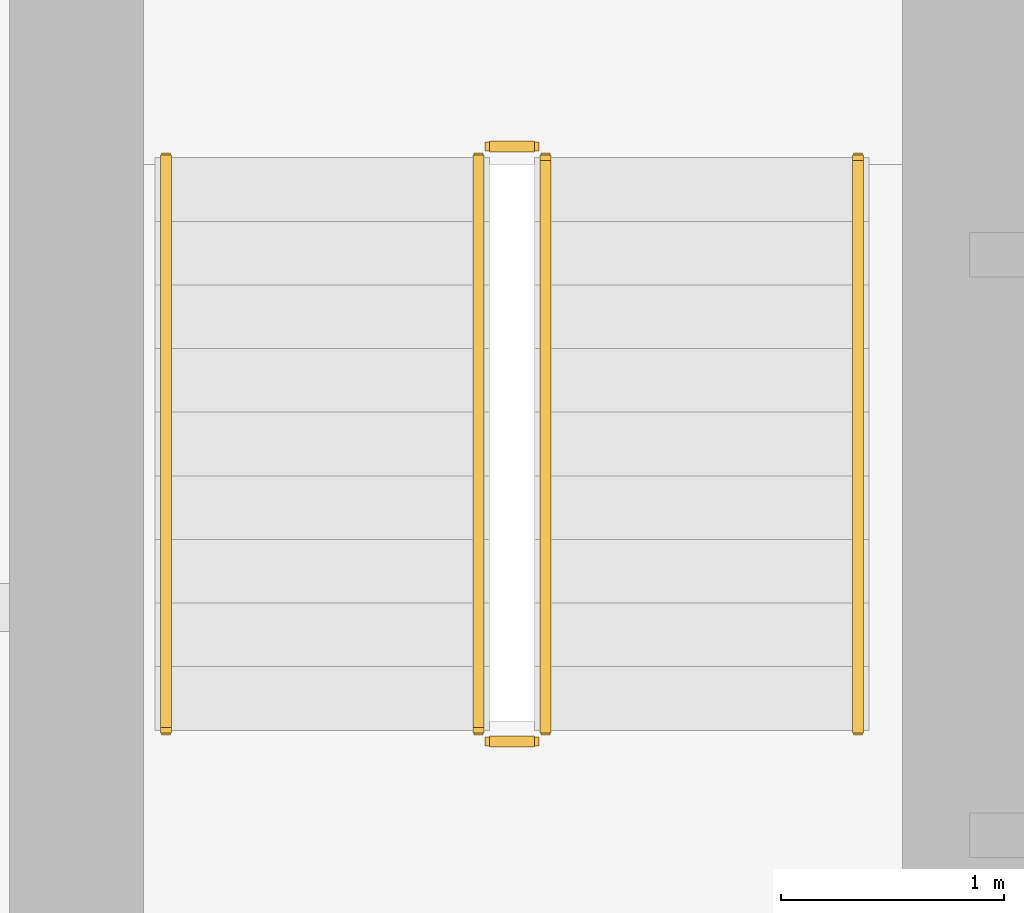
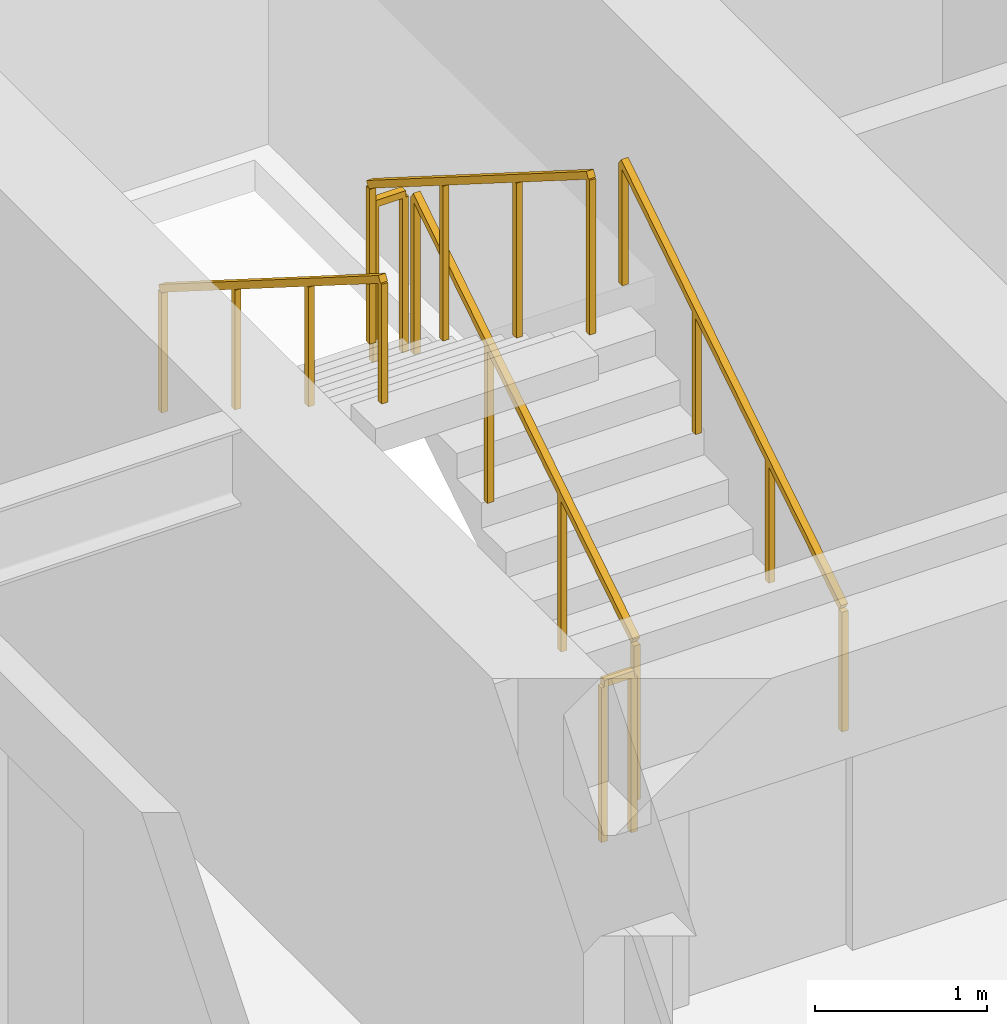
# One storey, part 26 of 28: 6 railings.
"""IFC4 building model written with IfcOpenShell, lengths in metres."""

import ifcopenshell
import ifcopenshell.guid

model = None  # the IFC model being written
_history = None  # IfcOwnerHistory: only IFC2X3 demands one
_inside = {}  # id of a spatial element -> (the spatial element, [elements in it])
_under = {}  # id of a project, library or spatial element -> (it, [spatial elements below it])
_declared = {}  # id of a project -> (the project, [libraries it declares])
_typed = {}  # id of a type object -> (the type object, [elements of that type])
_made_of = {}  # id of a material, layer set ... -> (it, [elements and type objects made of it])


def new_model(schema):
    """Start an empty IFC model of exactly this schema.

    Asked for "IFC4X3", IfcOpenShell would pick the latest addendum, in which some entities
    have other attributes; the version numbers below select the first issue.
    IFC2X3 requires an IfcOwnerHistory on every rooted entity: one is made here for all.
    """
    global model, _history
    if schema == "IFC4X3":
        model = ifcopenshell.file(schema_version=(4, 3, 0, 0))
    else:
        model = ifcopenshell.file(schema=schema)
    _inside.clear()
    _under.clear()
    _declared.clear()
    _typed.clear()
    _made_of.clear()
    _history = None
    if model.schema == "IFC2X3":
        org = make("IfcOrganization", Name="unknown")
        user = make(
            "IfcPersonAndOrganization",
            ThePerson=make("IfcPerson", FamilyName="unknown"),
            TheOrganization=org,
        )
        app = make(
            "IfcApplication",
            ApplicationDeveloper=org,
            Version="unknown",
            ApplicationFullName="unknown",
            ApplicationIdentifier="unknown",
        )
        _history = make(
            "IfcOwnerHistory",
            OwningUser=user,
            OwningApplication=app,
            ChangeAction="ADDED",
            CreationDate=0,
        )
    return model


def make(cls, **values):
    """One entity of the class cls with the attributes given. An attribute that is None is left unset."""
    return model.create_entity(
        cls, **{name: value for name, value in values.items() if value is not None}
    )


def rooted(cls, **values):
    """An entity with a GlobalId (a new one), such as an element, a storey or a relation."""
    return make(cls, GlobalId=ifcopenshell.guid.new(), OwnerHistory=_history, **values)


def si_unit(unit_type, name, prefix=None):
    """IfcSIUnit, for example si_unit("LENGTHUNIT", "METRE", prefix="MILLI")."""
    return make("IfcSIUnit", UnitType=unit_type, Prefix=prefix, Name=name)


def assignment(units):
    """IfcUnitAssignment: the units of a project."""
    return None if units is None else make("IfcUnitAssignment", Units=units)


def point(xyz):
    """IfcCartesianPoint."""
    return None if xyz is None else make("IfcCartesianPoint", Coordinates=xyz)


def direction(xyz):
    """IfcDirection."""
    return None if xyz is None else make("IfcDirection", DirectionRatios=xyz)


def frame(location, z_axis=None, x_axis=None):
    """IfcAxis2Placement3D, a coordinate frame: its origin and axes. An axis left out is left unset."""
    return make(
        "IfcAxis2Placement3D",
        Location=point(location),
        Axis=direction(z_axis),
        RefDirection=direction(x_axis),
    )


def frame_2d(location, x_axis=None):
    """IfcAxis2Placement2D, a coordinate frame in the plane: its origin and x axis."""
    return make(
        "IfcAxis2Placement2D", Location=point(location), RefDirection=direction(x_axis)
    )


def origin():
    """The frame at (0, 0, 0) with its axes left unset."""
    return frame((0.0, 0.0, 0.0))


def origin_2d():
    """The frame at (0, 0) in the plane with its x axis left unset."""
    return frame_2d((0.0, 0.0))


def place(relative_to, where):
    """IfcLocalPlacement: puts the frame where relative to a parent placement (None: the world)."""
    return make(
        "IfcLocalPlacement", PlacementRelTo=relative_to, RelativePlacement=where
    )


def context(
    kind, dimensions, precision=None, world=None, true_north=None, identifier=None
):
    """IfcGeometricRepresentationContext, for example the 3D "Model" context."""
    return make(
        "IfcGeometricRepresentationContext",
        ContextIdentifier=identifier,
        ContextType=kind,
        CoordinateSpaceDimension=dimensions,
        Precision=precision,
        WorldCoordinateSystem=world,
        TrueNorth=true_north,
    )


def subcontext(parent, identifier, kind, view, scale=None):
    """IfcGeometricRepresentationSubContext, for example "Body" below "Model"."""
    return make(
        "IfcGeometricRepresentationSubContext",
        ContextIdentifier=identifier,
        ContextType=kind,
        ParentContext=parent,
        TargetScale=scale,
        TargetView=view,
    )


def project(units=None, contexts=None):
    """IfcProject with its units and contexts."""
    return rooted(
        "IfcProject",
        Name="project",
        RepresentationContexts=contexts,
        UnitsInContext=assignment(units),
    )


def spatial(cls, under=None, at=None, **own):
    """A site, building, storey or space (cls), placed at a placement, below another one or the project."""
    s = rooted(cls, ObjectPlacement=at, **own)
    if under is not None:
        _under.setdefault(under.id(), (under, []))[1].append(s)
    return s


def profile(cls, at=None, kind="AREA", **sizes):
    """A parametric profile (cls). Its sizes go by their IFC names, for example OverallWidth=200.0."""
    return make(cls, ProfileType=kind, Position=at, **sizes)


def rectangle(**sizes):
    """IfcRectangleProfileDef."""
    return profile("IfcRectangleProfileDef", **sizes)


def extrude(swept, where, along, depth):
    """IfcExtrudedAreaSolid: the profile swept, set in the frame where, extruded along a direction by depth."""
    return make(
        "IfcExtrudedAreaSolid",
        SweptArea=swept,
        Position=where,
        ExtrudedDirection=direction(along),
        Depth=depth,
    )


def shape(context_of_items, identifier, shape_type, items):
    """IfcShapeRepresentation: the items that make up one representation, for example the "Body"."""
    return make(
        "IfcShapeRepresentation",
        ContextOfItems=context_of_items,
        RepresentationIdentifier=identifier,
        RepresentationType=shape_type,
        Items=items,
    )


def material(Name=None, Category=None):
    """IfcMaterial."""
    return make("IfcMaterial", Name=Name, Category=Category)


def made_of(thing, what):
    """Note that an element or type object is made of a material, layer set ...; save() writes the relation."""
    if what is not None:
        _made_of.setdefault(what.id(), (what, []))[1].append(thing)
    return thing


def type_object(cls, material=None, **own):
    """A type object (cls), such as IfcWallType, which elements share."""
    return made_of(rooted(cls, **own), material)


def element(
    cls,
    number,
    at=None,
    inside=None,
    cuts=None,
    type_object=None,
    material=None,
    context=None,
    identifier="Body",
    shape_type=None,
    held_by="IfcProductDefinitionShape",
    body=None,
    shapes=None,
    **own,
):
    """One element of the class cls, such as IfcWall. Its Tag is "e" and its number.

    at: its placement. inside: the storey or other place that contains it. cuts: it is an
    opening in that element (IfcRelVoidsElement). A single representation is given by context,
    identifier, shape_type and body (its items); several are given by shapes. held_by: the class
    of the entity that holds the representations. save() writes the other relations.
    """
    e = rooted(cls, Tag="e%d" % number, ObjectPlacement=at, **own)
    if body is not None:
        shapes = [shape(context, identifier, shape_type, body)]
    if shapes is not None:
        e.Representation = make(held_by, Representations=shapes)
    if inside is not None:
        _inside.setdefault(inside.id(), (inside, []))[1].append(e)
    if cuts is not None:
        rooted(
            "IfcRelVoidsElement", RelatingBuildingElement=cuts, RelatedOpeningElement=e
        )
    if type_object is not None:
        _typed.setdefault(type_object.id(), (type_object, []))[1].append(e)
    return made_of(e, material)


def aggregate(whole, parts):
    """IfcRelAggregates: a whole, such as a stair, and the parts it consists of."""
    return rooted("IfcRelAggregates", RelatingObject=whole, RelatedObjects=parts)


def save(model, path):
    """Write the relations noted so far, then the file.

    IfcRelAggregates (storeys below a building ...), IfcRelContainedInSpatialStructure (elements
    in a storey), IfcRelDefinesByType, IfcRelAssociatesMaterial and IfcRelDeclares: one each for
    every whole, place, type object, material and project.
    """
    for whole, parts in _under.values():
        aggregate(whole, parts)
    for where, things in _inside.values():
        rooted(
            "IfcRelContainedInSpatialStructure",
            RelatedElements=things,
            RelatingStructure=where,
        )
    for kind, things in _typed.values():
        rooted("IfcRelDefinesByType", RelatedObjects=things, RelatingType=kind)
    for what, things in _made_of.values():
        rooted("IfcRelAssociatesMaterial", RelatedObjects=things, RelatingMaterial=what)
    for by, libraries in _declared.values():
        rooted("IfcRelDeclares", RelatingContext=by, RelatedDefinitions=libraries)
    model.write(path)


model = new_model("IFC4")

# Units and contexts
model_context = context("Model", 3, precision=1e-05, world=origin(), true_north=direction((0.0, 1.0)))
body_context = subcontext(model_context, "Body", "Model", "MODEL_VIEW")
ifc_project = project(units=[si_unit("LENGTHUNIT", "METRE"), si_unit("AREAUNIT", "SQUARE_METRE"), si_unit("VOLUMEUNIT", "CUBIC_METRE"), si_unit("PLANEANGLEUNIT", "RADIAN"), si_unit("MASSUNIT", "GRAM", prefix="KILO")], contexts=[model_context])

# Site, building, storey
site_placement = place(None, origin())
site = spatial("IfcSite", under=ifc_project, at=site_placement, CompositionType="ELEMENT")
building_placement = place(site_placement, origin())
building = spatial("IfcBuilding", under=site, at=building_placement, Name="Sarneth Arch Tower", CompositionType="ELEMENT")
storey_placement = place(building_placement, frame((0.0, 0.0, 31.800048828125)))
storey = spatial("IfcBuildingStorey", under=building, at=storey_placement, Name="L06", CompositionType="ELEMENT", Elevation=31.800048828125)

# Railings
ifc_material_1 = material(Name="Brushed Stainless Steel 304 tubular handrail", Category="steel")
railing_type_1 = type_object("IfcRailingType", Name="RAIL-HANDRAIL-900", PredefinedType="HANDRAIL", material=ifc_material_1)
railing_1_placement = place(storey_placement, frame((40.5, 41.449951171875, 0.179931640625)))
element("IfcRailing", 1, at=railing_1_placement, inside=storey, type_object=railing_type_1, Name="L06 ST-1 stair handrail 1", PredefinedType="HANDRAIL", context=body_context, shape_type="SweptSolid", body=[
    extrude(rectangle(XDim=0.048095703125, YDim=0.048095703125, at=origin_2d()), frame((0.0, 0.0, 0.8759765625), z_axis=(0.0, 0.845465955043, 0.534029323973), x_axis=(-1.0, 0.0, 0.0)), (0.0, 0.0, 1.0), 3.03369140625),
    extrude(rectangle(XDim=0.0419921875, YDim=0.0419921875, at=origin_2d()), origin(), (0.0, 0.0, 1.0), 0.851806640625),
    extrude(rectangle(XDim=0.0419921875, YDim=0.0419921875, at=origin_2d()), frame((0.0, 0.85498046875, 0.5400390625)), (0.0, 0.0, 1.0), 0.851806640625),
    extrude(rectangle(XDim=0.0419921875, YDim=0.0419921875, at=origin_2d()), frame((0.0, 1.7099609375, 1.080078125)), (0.0, 0.0, 1.0), 0.851806640625),
    extrude(rectangle(XDim=0.0419921875, YDim=0.0419921875, at=origin_2d()), frame((0.0, 2.56494140625, 1.6201171875)), (0.0, 0.0, 1.0), 0.851806640625),
])
railing_2_placement = place(storey_placement, frame((37.39990234375, 44.014892578125, 1.97998046875)))
element("IfcRailing", 2, at=railing_2_placement, inside=storey, type_object=railing_type_1, Name="L06 ST-1 stair handrail 2", PredefinedType="HANDRAIL", context=body_context, shape_type="SweptSolid", body=[
    extrude(rectangle(XDim=0.048095703125, YDim=0.048095703125, at=origin_2d()), frame((0.0, 0.0, 0.8759765625), z_axis=(0.0, -0.845502289212, 0.533971796014), x_axis=(1.0, 0.0, 0.0)), (0.0, 0.0, 1.0), 3.03369140625),
    extrude(rectangle(XDim=0.0419921875, YDim=0.0419921875, at=origin_2d()), origin(), (0.0, 0.0, 1.0), 0.851806640625),
    extrude(rectangle(XDim=0.0419921875, YDim=0.0419921875, at=origin_2d()), frame((0.0, -0.85498046875, 0.5400390625)), (0.0, 0.0, 1.0), 0.851806640625),
    extrude(rectangle(XDim=0.0419921875, YDim=0.0419921875, at=origin_2d()), frame((0.0, -1.7099609375, 1.079833984375)), (0.0, 0.0, 1.0), 0.851806640625),
    extrude(rectangle(XDim=0.0419921875, YDim=0.0419921875, at=origin_2d()), frame((0.0, -2.56494140625, 1.619873046875)), (0.0, 0.0, 1.0), 0.851806640625),
])
ifc_material_2 = material(Name="Painted Steel S275 stair well guard", Category="steel")
railing_type_2 = type_object("IfcRailingType", Name="RAIL-STAIR-GUARD", PredefinedType="GUARDRAIL", material=ifc_material_2)
railing_3_placement = place(storey_placement, frame((39.10009765625, 41.449951171875, 0.179931640625)))
element("IfcRailing", 3, at=railing_3_placement, inside=storey, type_object=railing_type_2, Name="L06 ST-1 stair guard 1", PredefinedType="GUARDRAIL", context=body_context, shape_type="SweptSolid", body=[
    extrude(rectangle(XDim=0.048095703125, YDim=0.048095703125, at=origin_2d()), frame((0.0, 0.0, 1.1259765625), z_axis=(0.0, 0.845465955043, 0.534029323973), x_axis=(-1.0, 0.0, 0.0)), (0.0, 0.0, 1.0), 3.03369140625),
    extrude(rectangle(XDim=0.0419921875, YDim=0.0419921875, at=origin_2d()), origin(), (0.0, 0.0, 1.0), 1.101806640625),
    extrude(rectangle(XDim=0.0419921875, YDim=0.0419921875, at=origin_2d()), frame((0.0, 0.85498046875, 0.5400390625)), (0.0, 0.0, 1.0), 1.101806640625),
    extrude(rectangle(XDim=0.0419921875, YDim=0.0419921875, at=origin_2d()), frame((0.0, 1.7099609375, 1.080078125)), (0.0, 0.0, 1.0), 1.101806640625),
    extrude(rectangle(XDim=0.0419921875, YDim=0.0419921875, at=origin_2d()), frame((0.0, 2.56494140625, 1.6201171875)), (0.0, 0.0, 1.0), 1.101806640625),
])
railing_4_placement = place(storey_placement, frame((39.050048828125, 44.06494140625, 1.800048828125)))
element("IfcRailing", 4, at=railing_4_placement, inside=storey, type_object=railing_type_2, Name="L06 ST-1 stair guard 2", PredefinedType="GUARDRAIL", context=body_context, shape_type="SweptSolid", body=[
    extrude(rectangle(XDim=0.048095703125, YDim=0.048095703125, at=origin_2d()), frame((0.0, 0.0, 1.1259765625), z_axis=(-1.0, 0.0, 0.0), x_axis=(0.0, -1.0, 0.0)), (0.0, 0.0, 1.0), 0.199951171875),
    extrude(rectangle(XDim=0.0419921875, YDim=0.0419921875, at=origin_2d()), origin(), (0.0, 0.0, 1.0), 1.101806640625),
    extrude(rectangle(XDim=0.0419921875, YDim=0.0419921875, at=origin_2d()), frame((-0.199951171875, 0.0, 0.0)), (0.0, 0.0, 1.0), 1.101806640625),
])
railing_5_placement = place(storey_placement, frame((38.800048828125, 44.014892578125, 1.97998046875)))
element("IfcRailing", 5, at=railing_5_placement, inside=storey, type_object=railing_type_2, Name="L06 ST-1 stair guard 3", PredefinedType="GUARDRAIL", context=body_context, shape_type="SweptSolid", body=[
    extrude(rectangle(XDim=0.048095703125, YDim=0.048095703125, at=origin_2d()), frame((0.0, 0.0, 1.1259765625), z_axis=(0.0, -0.845502289212, 0.533971796014), x_axis=(1.0, 0.0, 0.0)), (0.0, 0.0, 1.0), 3.03369140625),
    extrude(rectangle(XDim=0.0419921875, YDim=0.0419921875, at=origin_2d()), origin(), (0.0, 0.0, 1.0), 1.101806640625),
    extrude(rectangle(XDim=0.0419921875, YDim=0.0419921875, at=origin_2d()), frame((0.0, -0.85498046875, 0.5400390625)), (0.0, 0.0, 1.0), 1.101806640625),
    extrude(rectangle(XDim=0.0419921875, YDim=0.0419921875, at=origin_2d()), frame((0.0, -1.7099609375, 1.079833984375)), (0.0, 0.0, 1.0), 1.101806640625),
    extrude(rectangle(XDim=0.0419921875, YDim=0.0419921875, at=origin_2d()), frame((0.0, -2.56494140625, 1.619873046875)), (0.0, 0.0, 1.0), 1.101806640625),
])
railing_6_placement = place(storey_placement, frame((39.050048828125, 41.39990234375, 0.0)))
element("IfcRailing", 6, at=railing_6_placement, inside=storey, type_object=railing_type_2, Name="L06 ST-1 stair guard 4", PredefinedType="GUARDRAIL", context=body_context, shape_type="SweptSolid", body=[
    extrude(rectangle(XDim=0.048095703125, YDim=0.048095703125, at=origin_2d()), frame((0.0, 0.0, 1.1259765625), z_axis=(-1.0, 0.0, 0.0), x_axis=(0.0, -1.0, 0.0)), (0.0, 0.0, 1.0), 0.199951171875),
    extrude(rectangle(XDim=0.0419921875, YDim=0.0419921875, at=origin_2d()), origin(), (0.0, 0.0, 1.0), 1.101806640625),
    extrude(rectangle(XDim=0.0419921875, YDim=0.0419921875, at=origin_2d()), frame((-0.199951171875, 0.0, 0.0)), (0.0, 0.0, 1.0), 1.101806640625),
])

save(model, "model.ifc")
